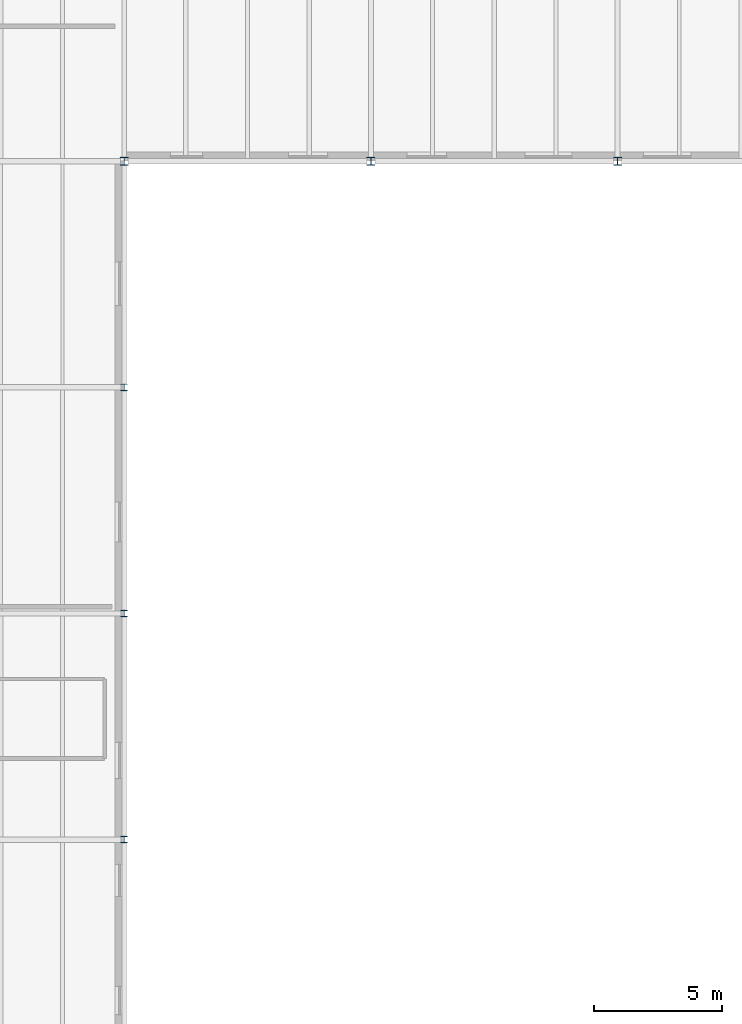
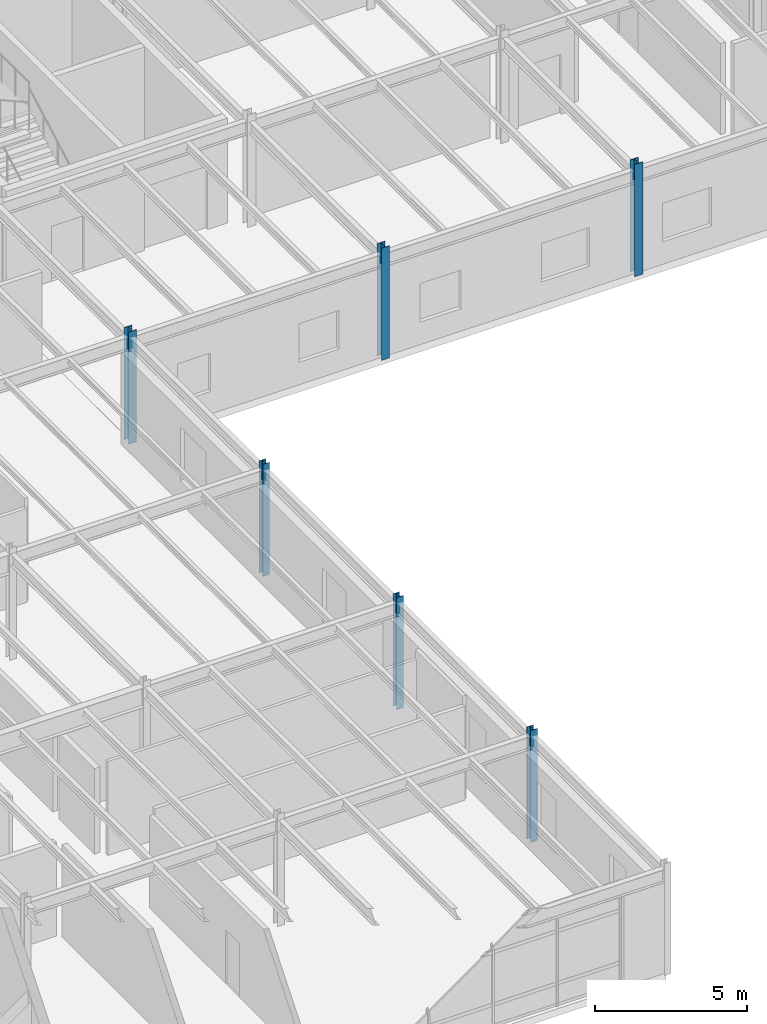
# One storey, part 3 of 69: 6 columns.
"""IFC4 building model written with IfcOpenShell, lengths in metres."""

from ifc_helpers import new_model, si_unit, direction, frame, origin, origin_2d, place, context, subcontext, project, spatial, i_section, extrude, material, material_profile, profile_set, type_object, element, save


model = new_model("IFC4")

# Units and contexts
model_context = context("Model", 3, precision=1e-05, world=origin(), true_north=direction((0.0, 1.0)))
body_context = subcontext(model_context, "Body", "Model", "MODEL_VIEW")
ifc_project = project(units=[si_unit("LENGTHUNIT", "METRE"), si_unit("AREAUNIT", "SQUARE_METRE"), si_unit("VOLUMEUNIT", "CUBIC_METRE"), si_unit("PLANEANGLEUNIT", "RADIAN"), si_unit("MASSUNIT", "GRAM", prefix="KILO")], contexts=[model_context])

# Site, building, storey
site_placement = place(None, origin())
site = spatial("IfcSite", under=ifc_project, at=site_placement, CompositionType="ELEMENT")
building_placement = place(site_placement, origin())
building = spatial("IfcBuilding", under=site, at=building_placement, Name="Sarnbrook Museum", CompositionType="ELEMENT")
storey_placement = place(building_placement, frame((0.0, 0.0, 14.60009765625)))
storey = spatial("IfcBuildingStorey", under=building, at=storey_placement, Name="L03", CompositionType="ELEMENT", Elevation=14.60009765625)

# Columns
ifc_material = material(Name="Structural Steel Grade 300PLUS (AS/NZS 3679.1, fy = 280 MPa for 17 < t <= 40 mm, 300 MPa for t <= 17 mm)", Category="steel")
ifc_material_profile_1 = material_profile(ifc_material, i_section(OverallWidth=0.25390625, OverallDepth=0.25390625, WebThickness=0.008544921875, FlangeThickness=0.01416015625, FilletRadius=0.0126953125, at=origin_2d()), Name="250UC72.9")
ifc_profile_set_1 = profile_set([ifc_material_profile_1], Name="Structural Steel Grade 300PLUS (AS/NZS 3679.1, fy = 280 MPa for 17 < t <= 40 mm, 300 MPa for t <= 17 mm)")
column_type_1 = type_object("IfcColumnType", Name="COL-UC250", PredefinedType="COLUMN", material=ifc_profile_set_1)
for number, where, z_axis, x_axis, name in (
    (1, (42.39990234375, 48.0, 0.0), (0.0, 0.0, 1.0), (1.0, 0.0, 0.0), "Column 5-F L03"),
    (2, (42.39990234375, 56.800048828125, 0.0), (0.0, 0.0, 1.0), (1.0, 0.0, 0.0), "Column 5-G L03"),
    (3, (42.39990234375, 65.60009765625, 0.0), (0.0, 0.0, 1.0), (1.0, 0.0, 0.0), "Column 5-H L03"),
):
    element("IfcColumn", number, at=place(storey_placement, frame(where, z_axis=z_axis, x_axis=x_axis)), inside=storey, type_object=column_type_1, Name=name, PredefinedType="COLUMN", context=body_context, shape_type="SweptSolid", body=[
        extrude(i_section(OverallWidth=0.25390625, OverallDepth=0.25390625, WebThickness=0.008544921875, FlangeThickness=0.01416015625, FilletRadius=0.0126953125, at=origin_2d()), origin(), (0.0, 0.0, 1.0), 4.5),
    ])
ifc_material_profile_2 = material_profile(ifc_material, i_section(OverallWidth=0.306884765625, OverallDepth=0.31494140625, WebThickness=0.011962890625, FlangeThickness=0.018798828125, FilletRadius=0.0166015625, at=origin_2d()), Name="310UC118")
ifc_profile_set_2 = profile_set([ifc_material_profile_2], Name="Structural Steel Grade 300PLUS (AS/NZS 3679.1, fy = 280 MPa for 17 < t <= 40 mm, 300 MPa for t <= 17 mm)")
column_type_2 = type_object("IfcColumnType", Name="COL-UC310", PredefinedType="COLUMN", material=ifc_profile_set_2)
for number, where, z_axis, x_axis, name in (
    (4, (42.39990234375, 74.39990234375, 0.0), (0.0, 0.0, 1.0), (1.0, 0.0, 0.0), "Column 5-J L03"),
    (5, (52.0, 74.39990234375, 0.0), (0.0, 0.0, 1.0), (1.0, 0.0, 0.0), "Column 6-J L03"),
    (6, (61.60009765625, 74.39990234375, 0.0), (0.0, 0.0, 1.0), (1.0, 0.0, 0.0), "Column 7-J L03"),
):
    element("IfcColumn", number, at=place(storey_placement, frame(where, z_axis=z_axis, x_axis=x_axis)), inside=storey, type_object=column_type_2, Name=name, PredefinedType="COLUMN", context=body_context, shape_type="SweptSolid", body=[
        extrude(i_section(OverallWidth=0.306884765625, OverallDepth=0.31494140625, WebThickness=0.011962890625, FlangeThickness=0.018798828125, FilletRadius=0.0166015625, at=origin_2d()), origin(), (0.0, 0.0, 1.0), 4.5),
    ])

save(model, "model.ifc")
